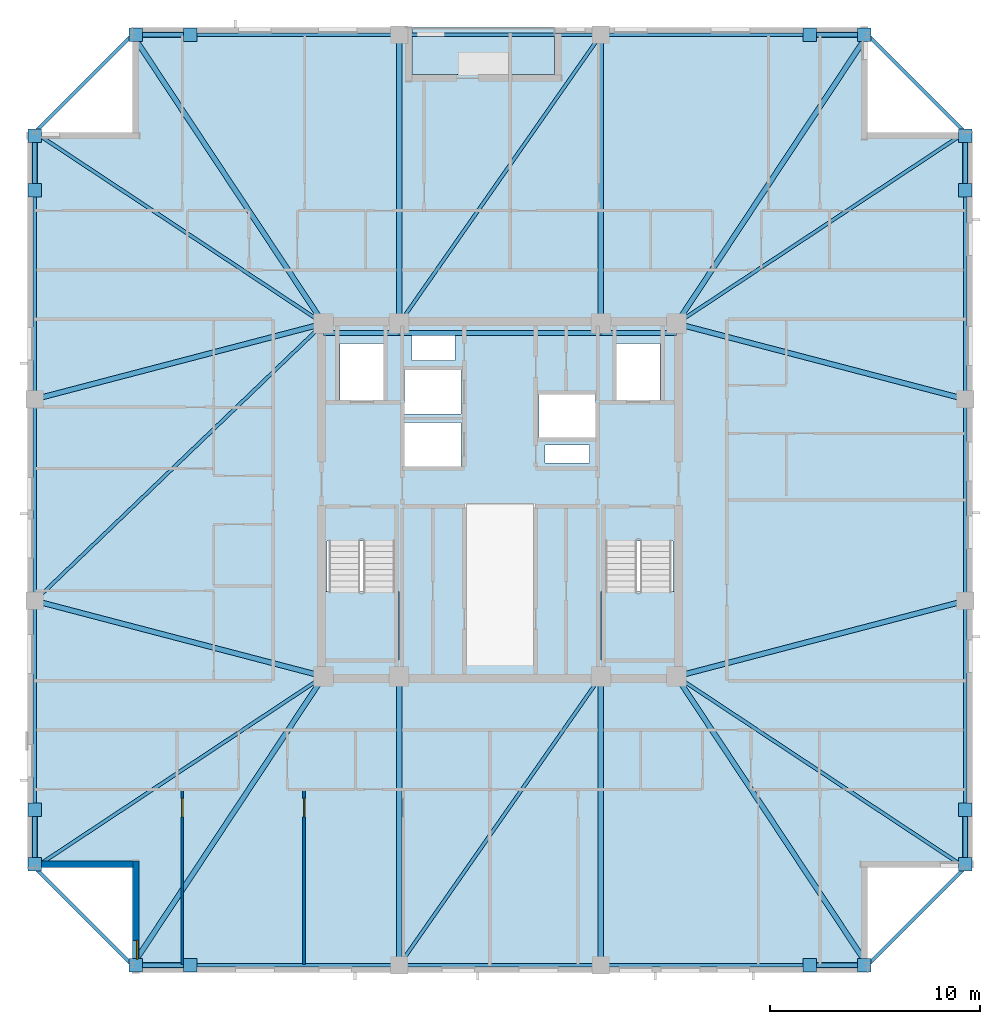
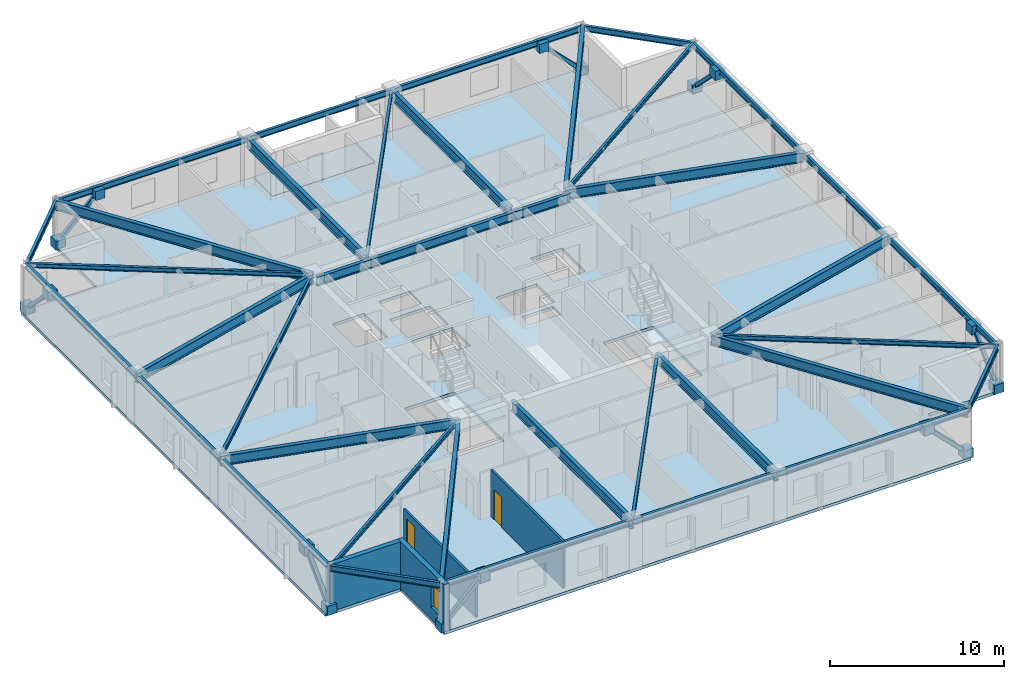
# One storey, part 6 of 17: 38 beams, 16 plates, 8 members, 4 slabs, 4 walls, 2 doors, 1 window, 3 openings, 2 elements without a shape of their own.
"""IFC4 building model written with IfcOpenShell, lengths in metres."""

from ifc_helpers import new_model, si_unit, direction, frame, frame_2d, origin, origin_2d, place, context, subcontext, project, spatial, polyline, rectangle, hollow_rectangle, i_section, outline, extrude, material, layer, layer_set, material_profile, profile_set, type_object, element, fill, aggregate, save


model = new_model("IFC4")

# Units and contexts
model_context = context("Model", 3, precision=1e-05, world=origin(), true_north=direction((0.0, 1.0)))
body_context = subcontext(model_context, "Body", "Model", "MODEL_VIEW")
ifc_project = project(units=[si_unit("LENGTHUNIT", "METRE"), si_unit("AREAUNIT", "SQUARE_METRE"), si_unit("VOLUMEUNIT", "CUBIC_METRE"), si_unit("PLANEANGLEUNIT", "RADIAN"), si_unit("MASSUNIT", "GRAM", prefix="KILO")], contexts=[model_context])

# Site, building, storey
site_placement = place(None, origin())
site = spatial("IfcSite", under=ifc_project, at=site_placement, CompositionType="ELEMENT")
building_placement = place(site_placement, origin())
building = spatial("IfcBuilding", under=site, at=building_placement, Name="Cairnveth Concourse Tower", CompositionType="ELEMENT")
storey_placement = place(building_placement, frame((0.0, 0.0, 206.0)))
storey = spatial("IfcBuildingStorey", under=building, at=storey_placement, Name="L56", CompositionType="ELEMENT", Elevation=206.0)

# Beams
ifc_material_1 = material(Name="Steel Grade 350", Category="steel")
ifc_material_profile_1 = material_profile(ifc_material_1, i_section(OverallWidth=0.22802734375, OverallDepth=0.60693359375, WebThickness=0.01123046875, FlangeThickness=0.017333984375, FilletRadius=0.013916015625, at=origin_2d()), Name="610UB113")
ifc_profile_set_1 = profile_set([ifc_material_profile_1], Name="Steel Grade 350")
beam_type_1 = type_object("IfcBeamType", Name="CORE TIE BEAM 610UB113", PredefinedType="T_BEAM", material=ifc_profile_set_1)
for number, where, z_axis, x_axis, name in (
    (1, (43.60009765625, 46.949951171875, 2.986572265625), (1.0, 0.0, 0.0), (0.0, 1.0, 0.0), "Beam CT-N1 L56"),
    (2, (56.800048828125, 46.949951171875, 2.986572265625), (1.0, 0.0, 0.0), (0.0, 1.0, 0.0), "Beam CT-N3 L56"),
):
    element("IfcBeam", number, at=place(storey_placement, frame(where, z_axis=z_axis, x_axis=x_axis)), inside=storey, type_object=beam_type_1, Name=name, PredefinedType="T_BEAM", context=body_context, shape_type="SweptSolid", body=[
        extrude(i_section(OverallWidth=0.22802734375, OverallDepth=0.60693359375, WebThickness=0.01123046875, FlangeThickness=0.017333984375, FilletRadius=0.013916015625, at=origin_2d()), origin(), (0.0, 0.0, 1.0), 3.599853515625),
    ])
beam_1_placement = place(storey_placement, frame((47.199951171875, 46.949951171875, 2.986572265625), z_axis=(1.0, 0.0, 0.0), x_axis=(0.0, 1.0, 0.0)))
element("IfcBeam", 3, at=beam_1_placement, inside=storey, type_object=beam_type_1, Name="Beam CT-N2 L56", PredefinedType="T_BEAM", context=body_context, shape_type="SweptSolid", body=[
    extrude(i_section(OverallWidth=0.22802734375, OverallDepth=0.60693359375, WebThickness=0.01123046875, FlangeThickness=0.017333984375, FilletRadius=0.013916015625, at=origin_2d()), origin(), (0.0, 0.0, 1.0), 9.60009765625),
])
ifc_material_profile_2 = material_profile(ifc_material_1, i_section(OverallWidth=0.166015625, OverallDepth=0.306884765625, WebThickness=0.006591796875, FlangeThickness=0.01171875, FilletRadius=0.010986328125, at=origin_2d()), Name="310UB46.2")
ifc_profile_set_2 = profile_set([ifc_material_profile_2], Name="Steel Grade 350")
beam_type_2 = type_object("IfcBeamType", Name="ZONE 3 FLOOR JOIST 310UB46.2", PredefinedType="JOIST", material=ifc_profile_set_2)
for number, where, z_axis, x_axis, name in (
    (4, (29.85009765625, 21.5, 3.136474609375), (0.833908956207, 0.551902031848, 0.0), (-0.551902031848, 0.833908956207, 0.0), "Beam FJ-CSW2 L56"),
    (5, (74.14990234375, 21.5, 3.136474609375), (-0.833908956207, 0.551902031848, 0.0), (-0.551902031848, -0.833908956207, 0.0), "Beam FJ-CSE2 L56"),
    (6, (74.14990234375, 56.5, 3.136474609375), (-0.833908956207, -0.551902031848, 0.0), (0.551902031848, -0.833908956207, 0.0), "Beam FJ-CNE2 L56"),
    (7, (29.85009765625, 56.5, 3.136474609375), (0.833908956207, -0.551902031848, 0.0), (0.551902031848, 0.833908956207, 0.0), "Beam FJ-CNW2 L56"),
):
    element("IfcBeam", number, at=place(storey_placement, frame(where, z_axis=z_axis, x_axis=x_axis)), inside=storey, type_object=beam_type_2, Name=name, PredefinedType="JOIST", context=body_context, shape_type="SweptSolid", body=[
        extrude(i_section(OverallWidth=0.166015625, OverallDepth=0.306884765625, WebThickness=0.006591796875, FlangeThickness=0.01171875, FilletRadius=0.010986328125, at=origin_2d()), origin(), (0.0, 0.0, 1.0), 16.488525390625),
    ])
for number, where, z_axis, x_axis, name in (
    (8, (47.199951171875, 16.85009765625, 3.136474609375), (0.572465304893, 0.819928944905, 0.0), (-0.819928944905, 0.572465304893, 0.0), "Beam FJ-S-M1 L56"),
    (9, (47.199951171875, 47.39990234375, 3.136474609375), (0.572465304893, 0.819928944905, 0.0), (-0.819928944905, 0.572465304893, 0.0), "Beam FJ-N-M1 L56"),
):
    element("IfcBeam", number, at=place(storey_placement, frame(where, z_axis=z_axis, x_axis=x_axis)), inside=storey, type_object=beam_type_2, Name=name, PredefinedType="JOIST", context=body_context, shape_type="SweptSolid", body=[
        extrude(i_section(OverallWidth=0.166015625, OverallDepth=0.306884765625, WebThickness=0.006591796875, FlangeThickness=0.01171875, FilletRadius=0.010986328125, at=origin_2d()), origin(), (0.0, 0.0, 1.0), 16.769775390625),
    ])
beam_2_placement = place(storey_placement, frame((29.85009765625, 34.199951171875, 3.136474609375), z_axis=(0.721388600838, 0.692530495055, 0.0), x_axis=(-0.692530495055, 0.721388600838, 0.0)))
element("IfcBeam", 10, at=beam_2_placement, inside=storey, type_object=beam_type_2, Name="Beam FJ-W-M1 L56", PredefinedType="JOIST", context=body_context, shape_type="SweptSolid", body=[
    extrude(i_section(OverallWidth=0.166015625, OverallDepth=0.306884765625, WebThickness=0.006591796875, FlangeThickness=0.01171875, FilletRadius=0.010986328125, at=origin_2d()), origin(), (0.0, 0.0, 1.0), 19.060546875),
])

# Members
ifc_material_2 = material(Name="Steel C350L0 (350 MPa)", Category="steel")
ifc_material_profile_3 = material_profile(ifc_material_2, hollow_rectangle(XDim=0.25, YDim=0.25, WallThickness=0.012451171875, InnerFilletRadius=0.012939453125, OuterFilletRadius=0.02490234375, at=origin_2d()), Name="250x250x12.5SHS")
ifc_profile_set_3 = profile_set([ifc_material_profile_3], Name="Steel C350L0 (350 MPa)")
member_type = type_object("IfcMemberType", Name="ZONE 3 PIER BRACE 250X250X12.5SHS", PredefinedType="BRACE", material=ifc_profile_set_3)
for number, where, z_axis, x_axis, name in (
    (11, (34.64990234375, 16.85009765625, 0.25), (0.708469186186, 0.0, 0.705741746126), (0.0, 1.0, 0.0), "Structural Brace PB-S1 L56"),
    (12, (69.35009765625, 16.85009765625, 0.25), (-0.708469186186, 0.0, 0.705741746126), (0.0, -1.0, 0.0), "Structural Brace PB-S2 L56"),
    (13, (34.64990234375, 61.14990234375, 0.25), (0.708469186186, 0.0, 0.705741746126), (0.0, 1.0, 0.0), "Structural Brace PB-N1 L56"),
    (14, (69.35009765625, 61.14990234375, 0.25), (-0.708469186186, 0.0, 0.705741746126), (0.0, -1.0, 0.0), "Structural Brace PB-N2 L56"),
    (15, (29.85009765625, 21.64990234375, 0.25), (0.0, 0.708469186186, 0.705741746126), (-1.0, 0.0, 0.0), "Structural Brace PB-W1 L56"),
    (16, (29.85009765625, 56.35009765625, 0.25), (0.0, -0.708469186186, 0.705741746126), (1.0, 0.0, 0.0), "Structural Brace PB-W2 L56"),
    (17, (74.14990234375, 21.64990234375, 0.25), (0.0, 0.708469186186, 0.705741746126), (-1.0, 0.0, 0.0), "Structural Brace PB-E1 L56"),
    (18, (74.14990234375, 56.35009765625, 0.25), (0.0, -0.708469186186, 0.705741746126), (1.0, 0.0, 0.0), "Structural Brace PB-E2 L56"),
):
    element("IfcMember", number, at=place(storey_placement, frame(where, z_axis=z_axis, x_axis=x_axis)), inside=storey, type_object=member_type, Name=name, PredefinedType="BRACE", context=body_context, shape_type="SweptSolid", body=[
        extrude(hollow_rectangle(XDim=0.25, YDim=0.25, WallThickness=0.012451171875, InnerFilletRadius=0.012939453125, OuterFilletRadius=0.02490234375, at=origin_2d()), origin(), (0.0, 0.0, 1.0), 3.669921875),
    ])

# Beams
ifc_material_profile_4 = material_profile(ifc_material_1, i_section(OverallWidth=0.25, OverallDepth=0.69189453125, WebThickness=0.010009765625, FlangeThickness=0.02490234375, at=origin_2d()), Name="700WB150")
ifc_profile_set_4 = profile_set([ifc_material_profile_4], Name="Steel Grade 350")
beam_type_3 = type_object("IfcBeamType", Name="ZONE 3 RADIAL GIRDER 700WB150", PredefinedType="BEAM", material=ifc_profile_set_4)
for number, where, z_axis, x_axis, name in (
    (19, (47.199951171875, 16.85009765625, 2.944091796875), (0.0, 1.0, 0.0), (-1.0, 0.0, 0.0), "Beam RG-S1 L56"),
    (20, (56.800048828125, 16.85009765625, 2.944091796875), (0.0, 1.0, 0.0), (-1.0, 0.0, 0.0), "Beam RG-S2 L56"),
    (21, (47.199951171875, 47.39990234375, 2.944091796875), (0.0, 1.0, 0.0), (-1.0, 0.0, 0.0), "Beam RG-N1 L56"),
    (22, (56.800048828125, 47.39990234375, 2.944091796875), (0.0, 1.0, 0.0), (-1.0, 0.0, 0.0), "Beam RG-N2 L56"),
):
    element("IfcBeam", number, at=place(storey_placement, frame(where, z_axis=z_axis, x_axis=x_axis)), inside=storey, type_object=beam_type_3, Name=name, PredefinedType="BEAM", context=body_context, shape_type="SweptSolid", body=[
        extrude(i_section(OverallWidth=0.25, OverallDepth=0.69189453125, WebThickness=0.010009765625, FlangeThickness=0.02490234375, at=origin_2d()), origin(), (0.0, 0.0, 1.0), 13.75),
    ])
for number, where, z_axis, x_axis, name in (
    (23, (29.85009765625, 34.199951171875, 2.944091796875), (0.967395273598, -0.253271365575, 0.0), (0.253271365575, 0.967395273598, 0.0), "Beam RG-W1 L56"),
    (24, (29.85009765625, 43.800048828125, 2.944091796875), (0.967395273598, 0.253271365575, 0.0), (-0.253271365575, 0.967395273598, 0.0), "Beam RG-W2 L56"),
    (25, (60.39990234375, 30.60009765625, 2.944091796875), (0.967395273598, 0.253271365575, 0.0), (-0.253271365575, 0.967395273598, 0.0), "Beam RG-E1 L56"),
    (26, (60.39990234375, 47.39990234375, 2.944091796875), (0.967395273598, -0.253271365575, 0.0), (0.253271365575, 0.967395273598, 0.0), "Beam RG-E2 L56"),
):
    element("IfcBeam", number, at=place(storey_placement, frame(where, z_axis=z_axis, x_axis=x_axis)), inside=storey, type_object=beam_type_3, Name=name, PredefinedType="BEAM", context=body_context, shape_type="SweptSolid", body=[
        extrude(i_section(OverallWidth=0.25, OverallDepth=0.69189453125, WebThickness=0.010009765625, FlangeThickness=0.02490234375, at=origin_2d()), origin(), (0.0, 0.0, 1.0), 14.21337890625),
    ])
for number, where, z_axis, x_axis, name in (
    (27, (34.5, 16.85009765625, 2.944091796875), (0.551902031848, 0.833908956207, 0.0), (-0.833908956207, 0.551902031848, 0.0), "Beam RG-CSW L56"),
    (28, (69.5, 16.85009765625, 2.944091796875), (-0.551902031848, 0.833908956207, 0.0), (-0.833908956207, -0.551902031848, 0.0), "Beam RG-CSE L56"),
    (29, (69.5, 61.14990234375, 2.944091796875), (-0.551902031848, -0.833908956207, 0.0), (0.833908956207, -0.551902031848, 0.0), "Beam RG-CNE L56"),
    (30, (34.5, 61.14990234375, 2.944091796875), (0.551902031848, -0.833908956207, 0.0), (0.833908956207, 0.551902031848, 0.0), "Beam RG-CNW L56"),
):
    element("IfcBeam", number, at=place(storey_placement, frame(where, z_axis=z_axis, x_axis=x_axis)), inside=storey, type_object=beam_type_3, Name=name, PredefinedType="BEAM", context=body_context, shape_type="SweptSolid", body=[
        extrude(i_section(OverallWidth=0.25, OverallDepth=0.69189453125, WebThickness=0.010009765625, FlangeThickness=0.02490234375, at=origin_2d()), origin(), (0.0, 0.0, 1.0), 16.488525390625),
    ])
ifc_material_profile_5 = material_profile(ifc_material_1, i_section(OverallWidth=0.177978515625, OverallDepth=0.406005859375, WebThickness=0.0078125, FlangeThickness=0.0126953125, FilletRadius=0.010986328125, at=origin_2d()), Name="410UB59.7")
ifc_profile_set_5 = profile_set([ifc_material_profile_5], Name="Steel Grade 350")
beam_type_4 = type_object("IfcBeamType", Name="ZONE 3 SPANDREL BEAM 410UB59.7", PredefinedType="SPANDREL", material=ifc_profile_set_5)
beam_3_placement = place(storey_placement, frame((34.5, 16.85009765625, 3.0869140625), z_axis=(1.0, 0.0, 0.0), x_axis=(0.0, 1.0, 0.0)))
element("IfcBeam", 31, at=beam_3_placement, inside=storey, type_object=beam_type_4, Name="Beam SP-S1 L56", PredefinedType="SPANDREL", context=body_context, shape_type="SweptSolid", body=[
    extrude(i_section(OverallWidth=0.177978515625, OverallDepth=0.406005859375, WebThickness=0.0078125, FlangeThickness=0.0126953125, FilletRadius=0.010986328125, at=origin_2d()), origin(), (0.0, 0.0, 1.0), 12.699951171875),
])
beam_4_placement = place(storey_placement, frame((47.199951171875, 16.85009765625, 3.0869140625), z_axis=(1.0, 0.0, 0.0), x_axis=(0.0, 1.0, 0.0)))
element("IfcBeam", 32, at=beam_4_placement, inside=storey, type_object=beam_type_4, Name="Beam SP-S2 L56", PredefinedType="SPANDREL", context=body_context, shape_type="SweptSolid", body=[
    extrude(i_section(OverallWidth=0.177978515625, OverallDepth=0.406005859375, WebThickness=0.0078125, FlangeThickness=0.0126953125, FilletRadius=0.010986328125, at=origin_2d()), origin(), (0.0, 0.0, 1.0), 9.60009765625),
])
for number, where, z_axis, x_axis, name in (
    (33, (56.800048828125, 16.85009765625, 3.0869140625), (1.0, 0.0, 0.0), (0.0, 1.0, 0.0), "Beam SP-S3 L56"),
    (34, (34.5, 61.14990234375, 3.0869140625), (1.0, 0.0, 0.0), (0.0, 1.0, 0.0), "Beam SP-N1 L56"),
):
    element("IfcBeam", number, at=place(storey_placement, frame(where, z_axis=z_axis, x_axis=x_axis)), inside=storey, type_object=beam_type_4, Name=name, PredefinedType="SPANDREL", context=body_context, shape_type="SweptSolid", body=[
        extrude(i_section(OverallWidth=0.177978515625, OverallDepth=0.406005859375, WebThickness=0.0078125, FlangeThickness=0.0126953125, FilletRadius=0.010986328125, at=origin_2d()), origin(), (0.0, 0.0, 1.0), 12.699951171875),
    ])
beam_5_placement = place(storey_placement, frame((47.199951171875, 61.14990234375, 3.0869140625), z_axis=(1.0, 0.0, 0.0), x_axis=(0.0, 1.0, 0.0)))
element("IfcBeam", 35, at=beam_5_placement, inside=storey, type_object=beam_type_4, Name="Beam SP-N2 L56", PredefinedType="SPANDREL", context=body_context, shape_type="SweptSolid", body=[
    extrude(i_section(OverallWidth=0.177978515625, OverallDepth=0.406005859375, WebThickness=0.0078125, FlangeThickness=0.0126953125, FilletRadius=0.010986328125, at=origin_2d()), origin(), (0.0, 0.0, 1.0), 9.60009765625),
])
for number, where, z_axis, x_axis, name in (
    (36, (56.800048828125, 61.14990234375, 3.0869140625), (1.0, 0.0, 0.0), (0.0, 1.0, 0.0), "Beam SP-N3 L56"),
    (37, (29.85009765625, 21.5, 3.0869140625), (0.0, 1.0, 0.0), (-1.0, 0.0, 0.0), "Beam SP-W1 L56"),
):
    element("IfcBeam", number, at=place(storey_placement, frame(where, z_axis=z_axis, x_axis=x_axis)), inside=storey, type_object=beam_type_4, Name=name, PredefinedType="SPANDREL", context=body_context, shape_type="SweptSolid", body=[
        extrude(i_section(OverallWidth=0.177978515625, OverallDepth=0.406005859375, WebThickness=0.0078125, FlangeThickness=0.0126953125, FilletRadius=0.010986328125, at=origin_2d()), origin(), (0.0, 0.0, 1.0), 12.699951171875),
    ])
beam_6_placement = place(storey_placement, frame((29.85009765625, 34.199951171875, 3.0869140625), z_axis=(0.0, 1.0, 0.0), x_axis=(-1.0, 0.0, 0.0)))
element("IfcBeam", 38, at=beam_6_placement, inside=storey, type_object=beam_type_4, Name="Beam SP-W2 L56", PredefinedType="SPANDREL", context=body_context, shape_type="SweptSolid", body=[
    extrude(i_section(OverallWidth=0.177978515625, OverallDepth=0.406005859375, WebThickness=0.0078125, FlangeThickness=0.0126953125, FilletRadius=0.010986328125, at=origin_2d()), origin(), (0.0, 0.0, 1.0), 9.60009765625),
])
for number, where, z_axis, x_axis, name in (
    (39, (29.85009765625, 43.800048828125, 3.0869140625), (0.0, 1.0, 0.0), (-1.0, 0.0, 0.0), "Beam SP-W3 L56"),
    (40, (74.14990234375, 21.5, 3.0869140625), (0.0, 1.0, 0.0), (-1.0, 0.0, 0.0), "Beam SP-E1 L56"),
):
    element("IfcBeam", number, at=place(storey_placement, frame(where, z_axis=z_axis, x_axis=x_axis)), inside=storey, type_object=beam_type_4, Name=name, PredefinedType="SPANDREL", context=body_context, shape_type="SweptSolid", body=[
        extrude(i_section(OverallWidth=0.177978515625, OverallDepth=0.406005859375, WebThickness=0.0078125, FlangeThickness=0.0126953125, FilletRadius=0.010986328125, at=origin_2d()), origin(), (0.0, 0.0, 1.0), 12.699951171875),
    ])
beam_7_placement = place(storey_placement, frame((74.14990234375, 34.199951171875, 3.0869140625), z_axis=(0.0, 1.0, 0.0), x_axis=(-1.0, 0.0, 0.0)))
element("IfcBeam", 41, at=beam_7_placement, inside=storey, type_object=beam_type_4, Name="Beam SP-E2 L56", PredefinedType="SPANDREL", context=body_context, shape_type="SweptSolid", body=[
    extrude(i_section(OverallWidth=0.177978515625, OverallDepth=0.406005859375, WebThickness=0.0078125, FlangeThickness=0.0126953125, FilletRadius=0.010986328125, at=origin_2d()), origin(), (0.0, 0.0, 1.0), 9.60009765625),
])
beam_8_placement = place(storey_placement, frame((74.14990234375, 43.800048828125, 3.0869140625), z_axis=(0.0, 1.0, 0.0), x_axis=(-1.0, 0.0, 0.0)))
element("IfcBeam", 42, at=beam_8_placement, inside=storey, type_object=beam_type_4, Name="Beam SP-E3 L56", PredefinedType="SPANDREL", context=body_context, shape_type="SweptSolid", body=[
    extrude(i_section(OverallWidth=0.177978515625, OverallDepth=0.406005859375, WebThickness=0.0078125, FlangeThickness=0.0126953125, FilletRadius=0.010986328125, at=origin_2d()), origin(), (0.0, 0.0, 1.0), 12.699951171875),
])
for number, where, z_axis, x_axis, name in (
    (43, (29.85009765625, 21.5, 3.0869140625), (0.707106781187, -0.707106781187, 0.0), (0.707106781187, 0.707106781187, 0.0), "Beam SP-SW L56"),
    (44, (69.5, 16.85009765625, 3.0869140625), (0.707106781187, 0.707106781187, 0.0), (-0.707106781187, 0.707106781187, 0.0), "Beam SP-SE L56"),
    (45, (69.5, 61.14990234375, 3.0869140625), (0.707106781187, -0.707106781187, 0.0), (0.707106781187, 0.707106781187, 0.0), "Beam SP-NE L56"),
    (46, (29.85009765625, 56.5, 3.0869140625), (0.707106781187, 0.707106781187, 0.0), (-0.707106781187, 0.707106781187, 0.0), "Beam SP-NW L56"),
):
    element("IfcBeam", number, at=place(storey_placement, frame(where, z_axis=z_axis, x_axis=x_axis)), inside=storey, type_object=beam_type_4, Name=name, PredefinedType="SPANDREL", context=body_context, shape_type="SweptSolid", body=[
        extrude(i_section(OverallWidth=0.177978515625, OverallDepth=0.406005859375, WebThickness=0.0078125, FlangeThickness=0.0126953125, FilletRadius=0.010986328125, at=origin_2d()), origin(), (0.0, 0.0, 1.0), 6.575927734375),
    ])

# Plates
ifc_layer_1 = layer(ifc_material_1, 0.031982421875)
ifc_layer_set_1 = layer_set([ifc_layer_1], Name="Steel Grade 350")
plate_type = type_object("IfcPlateType", Name="PERIMETER BRACE GUSSET PLATE 32", PredefinedType="USERDEFINED", material=ifc_layer_set_1)
for number, where, z_axis, x_axis, name in (
    (47, (34.64990234375, 16.85009765625, -0.06982421875), (0.0, 0.0, 1.0), (1.0, 0.0, 0.0), "Structural Node Plate 0981 L56"),
    (48, (37.25, 16.85009765625, 2.52001953125), (0.0, 0.0, 1.0), (1.0, 0.0, 0.0), "Structural Node Plate 0982 L56"),
    (49, (69.35009765625, 16.85009765625, -0.06982421875), (0.0, 0.0, 1.0), (1.0, 0.0, 0.0), "Structural Node Plate 0983 L56"),
    (50, (66.75, 16.85009765625, 2.52001953125), (0.0, 0.0, 1.0), (1.0, 0.0, 0.0), "Structural Node Plate 0984 L56"),
    (51, (34.64990234375, 61.14990234375, -0.06982421875), (0.0, 0.0, 1.0), (1.0, 0.0, 0.0), "Structural Node Plate 0985 L56"),
    (52, (37.25, 61.14990234375, 2.52001953125), (0.0, 0.0, 1.0), (1.0, 0.0, 0.0), "Structural Node Plate 0986 L56"),
    (53, (69.35009765625, 61.14990234375, -0.06982421875), (0.0, 0.0, 1.0), (1.0, 0.0, 0.0), "Structural Node Plate 0987 L56"),
    (54, (66.75, 61.14990234375, 2.52001953125), (0.0, 0.0, 1.0), (1.0, 0.0, 0.0), "Structural Node Plate 0988 L56"),
    (55, (29.85009765625, 21.64990234375, -0.06982421875), (0.0, 0.0, 1.0), (1.0, 0.0, 0.0), "Structural Node Plate 0989 L56"),
    (56, (29.85009765625, 24.25, 2.52001953125), (0.0, 0.0, 1.0), (1.0, 0.0, 0.0), "Structural Node Plate 0990 L56"),
    (57, (29.85009765625, 56.35009765625, -0.06982421875), (0.0, 0.0, 1.0), (1.0, 0.0, 0.0), "Structural Node Plate 0991 L56"),
    (58, (29.85009765625, 53.75, 2.52001953125), (0.0, 0.0, 1.0), (1.0, 0.0, 0.0), "Structural Node Plate 0992 L56"),
    (59, (74.14990234375, 21.64990234375, -0.06982421875), (0.0, 0.0, 1.0), (1.0, 0.0, 0.0), "Structural Node Plate 0993 L56"),
    (60, (74.14990234375, 24.25, 2.52001953125), (0.0, 0.0, 1.0), (1.0, 0.0, 0.0), "Structural Node Plate 0994 L56"),
    (61, (74.14990234375, 56.35009765625, -0.06982421875), (0.0, 0.0, 1.0), (1.0, 0.0, 0.0), "Structural Node Plate 0995 L56"),
    (62, (74.14990234375, 53.75, 2.52001953125), (0.0, 0.0, 1.0), (1.0, 0.0, 0.0), "Structural Node Plate 0996 L56"),
):
    element("IfcPlate", number, at=place(storey_placement, frame(where, z_axis=z_axis, x_axis=x_axis)), inside=storey, type_object=plate_type, Name=name, ObjectType="GUSSET PLATE", PredefinedType="USERDEFINED", context=body_context, shape_type="SweptSolid", body=[
        extrude(rectangle(XDim=0.639892578125, YDim=0.639892578125, at=origin_2d()), origin(), (0.0, 0.0, 1.0), 0.639892578125),
    ])

# Slab
ifc_material_3 = material(Name="Concrete N50 (50 MPa)", Category="concrete")
ifc_layer_2 = layer(ifc_material_3, 0.18994140625)
ifc_layer_set_2 = layer_set([ifc_layer_2], Name="Concrete N50 (50 MPa)")
slab_type_1 = type_object("IfcSlabType", Name="SPIRAL OUTDOOR TERRACE SLAB 190", PredefinedType="FLOOR", material=ifc_layer_set_2)
slab_1_placement = place(storey_placement, frame((0.0, 0.0, -0.18994140625)))
element("IfcSlab", 63, at=slab_1_placement, inside=storey, type_object=slab_type_1, Name="Spiral Terrace Slab L56", PredefinedType="FLOOR", context=body_context, shape_type="SweptSolid", body=[
    extrude(outline(polyline([(47.800048828125, 59.25), (54.60009765625, 59.25), (54.60009765625, 61.5), (47.800048828125, 61.5), (47.800048828125, 59.25)])), origin(), (0.0, 0.0, 1.0), 0.18994140625),
])

# Stair, slab
ifc_material_4 = material(Name="Precast concrete N50 (50 MPa)", Category="concrete")
stair_type = type_object("IfcStairType", Name="CORE DOG-LEG FIRE STAIR 1500", PredefinedType="HALF_TURN_STAIR", material=ifc_material_4)
stair_1_placement = place(storey_placement, origin())
stair_1 = element("IfcStair", 64, at=stair_1_placement, inside=storey, type_object=stair_type, Name="L56 Fire-Isolated Stair ST-1", PredefinedType="HALF_TURN_STAIR")
ifc_layer_3 = layer(ifc_material_3, 0.199951171875)
ifc_layer_set_3 = layer_set([ifc_layer_3], Name="Concrete N50 (50 MPa)")
slab_type_2 = type_object("IfcSlabType", Name="STAIR HALF LANDING SLAB 200", PredefinedType="LANDING", material=ifc_layer_set_3)
slab_2_placement = place(storey_placement, frame((0.0, 0.0, 1.550048828125)))
slab_2 = element("IfcSlab", 65, at=slab_2_placement, type_object=slab_type_2, Name="ST-1 landing 1", PredefinedType="LANDING", context=body_context, shape_type="SweptSolid", body=[
    extrude(outline(polyline([(43.6201171875, 34.639892578125), (43.6201171875, 31.3701171875), (47.199951171875, 31.3701171875), (47.199951171875, 34.639892578125), (43.6201171875, 34.639892578125)])), origin(), (0.0, 0.0, 1.0), 0.199951171875),
])
aggregate(stair_1, [slab_2])

stair_2_placement = place(storey_placement, origin())
stair_2 = element("IfcStair", 66, at=stair_2_placement, inside=storey, type_object=stair_type, Name="L56 Fire-Isolated Stair ST-2", PredefinedType="HALF_TURN_STAIR")
slab_3_placement = place(storey_placement, frame((0.0, 0.0, 1.550048828125)))
slab_3 = element("IfcSlab", 67, at=slab_3_placement, type_object=slab_type_2, Name="ST-2 landing 1", PredefinedType="LANDING", context=body_context, shape_type="SweptSolid", body=[
    extrude(outline(polyline([(56.800048828125, 34.639892578125), (56.800048828125, 31.3701171875), (60.3798828125, 31.3701171875), (60.3798828125, 34.639892578125), (56.800048828125, 34.639892578125)])), origin(), (0.0, 0.0, 1.0), 0.199951171875),
])
aggregate(stair_2, [slab_3])

# Slab
ifc_layer_4 = layer(ifc_material_3, 0.2099609375)
ifc_layer_set_4 = layer_set([ifc_layer_4], Name="Concrete N50 (50 MPa)")
slab_type_3 = type_object("IfcSlabType", Name="UPPER TOWER COMPOSITE SLAB 210", PredefinedType="FLOOR", material=ifc_layer_set_4)
slab_4_placement = place(storey_placement, frame((0.0, 0.0, -0.2099609375)))
element("IfcSlab", 68, at=slab_4_placement, inside=storey, type_object=slab_type_3, Name="Tower Floor Slab L56", PredefinedType="FLOOR", context=body_context, shape_type="SweptSolid", body=[
    extrude(outline(polyline([(54.60009765625, 61.5), (54.60009765625, 59.25), (47.800048828125, 59.25), (47.800048828125, 61.5), (34.5, 61.5), (34.5, 56.5), (29.5, 56.5), (29.5, 21.5), (34.5, 21.5), (34.5, 16.5), (69.5, 16.5), (69.5, 21.5), (74.5, 21.5), (74.5, 56.5), (69.5, 56.5), (69.5, 61.5), (54.60009765625, 61.5)]), holes=[polyline([(43.760009765625, 31.360107421875), (47.06005859375, 31.360107421875), (47.06005859375, 37.0400390625), (43.760009765625, 37.0400390625), (43.760009765625, 31.360107421875)]), polyline([(56.93994140625, 31.360107421875), (60.239990234375, 31.360107421875), (60.239990234375, 37.0400390625), (56.93994140625, 37.0400390625), (56.93994140625, 31.360107421875)]), polyline([(44.3701171875, 43.75), (46.469970703125, 43.75), (46.469970703125, 46.449951171875), (44.3701171875, 46.449951171875), (44.3701171875, 43.75)]), polyline([(57.530029296875, 43.75), (59.6298828125, 43.75), (59.6298828125, 46.449951171875), (57.530029296875, 46.449951171875), (57.530029296875, 43.75)]), polyline([(47.449951171875, 40.60009765625), (50.14990234375, 40.60009765625), (50.14990234375, 42.699951171875), (47.449951171875, 42.699951171875), (47.449951171875, 40.60009765625)]), polyline([(47.449951171875, 43.10009765625), (50.14990234375, 43.10009765625), (50.14990234375, 45.199951171875), (47.449951171875, 45.199951171875), (47.449951171875, 43.10009765625)]), polyline([(53.85009765625, 41.949951171875), (56.550048828125, 41.949951171875), (56.550048828125, 44.050048828125), (53.85009765625, 44.050048828125), (53.85009765625, 41.949951171875)]), polyline([(47.800048828125, 45.64990234375), (49.85009765625, 45.64990234375), (49.85009765625, 47.050048828125), (47.800048828125, 47.050048828125), (47.800048828125, 45.64990234375)]), polyline([(54.14990234375, 40.75), (56.25, 40.75), (56.25, 41.6201171875), (54.14990234375, 41.6201171875), (54.14990234375, 40.75)])]), origin(), (0.0, 0.0, 1.0), 0.2099609375),
])

# Wall, opening, door
ifc_material_5 = material(Name="Gypsum Plasterboard Partition", Category="gypsum")
ifc_layer_5 = layer(ifc_material_5, 0.139892578125)
ifc_layer_set_5 = layer_set([ifc_layer_5], Name="Gypsum Plasterboard Partition")
wall_type_1 = type_object("IfcWallType", Name="GYPSUM STUD PARTITION 140", PredefinedType="PARTITIONING", material=ifc_layer_set_5)
wall_1_placement = place(storey_placement, frame((36.8701171875, 16.8798828125, 0.0), z_axis=(0.0, 0.0, 1.0), x_axis=(0.0, 1.0, 0.0)))
wall_1 = element("IfcWall", 69, at=wall_1_placement, inside=storey, type_object=wall_type_1, Name="Interior Wall IW-L56-050", PredefinedType="PARTITIONING", context=body_context, shape_type="SweptSolid", body=[
    extrude(rectangle(XDim=8.2900390625, YDim=0.139892578125, at=frame_2d((4.14501953125, 0.0))), origin(), (0.0, 0.0, 1.0), 2.572998046875),
])
opening_1_placement = place(wall_1_placement, frame((7.030029296875, 0.0, 0.0)))
opening_1 = element("IfcOpeningElement", 70, at=opening_1_placement, cuts=wall_1, Name="Opening ID18", PredefinedType="OPENING", context=body_context, shape_type="SweptSolid", body=[
    extrude(rectangle(XDim=0.8798828125, YDim=2.10009765625, at=frame_2d((0.43994140625, 1.050048828125))), frame((0.0, 0.079833984375, 0.0), z_axis=(0.0, -1.0, 0.0), x_axis=(1.0, 0.0, 0.0)), (0.0, 0.0, 1.0), 0.159912109375),
])
ifc_material_6 = material(Name="Solid Core Hardwood Timber Leaf", Category="wood")
door_type = type_object("IfcDoorType", Name="INTERIOR SINGLE DOOR 880X2100", OperationType="NOTDEFINED", PredefinedType="DOOR", material=ifc_material_6)
door_1_placement = place(opening_1_placement, origin())
door_1 = element("IfcDoor", 71, at=door_1_placement, inside=storey, type_object=door_type, Name="L56S1 Master Bedroom Door", OperationType="SINGLE_SWING_RIGHT", OverallHeight=2.10009765625, OverallWidth=0.8798828125, PredefinedType="DOOR", context=body_context, shape_type="SweptSolid", body=[
    extrude(rectangle(XDim=0.8798828125, YDim=2.10009765625, at=frame_2d((0.43994140625, 1.050048828125))), frame((0.0, 0.02490234375, 0.0), z_axis=(0.0, -1.0, 0.0), x_axis=(1.0, 0.0, 0.0)), (0.0, 0.0, 1.0), 0.050048828125),
])
fill(opening_1, door_1)

wall_2_placement = place(storey_placement, frame((42.669921875, 16.8798828125, 0.0), z_axis=(0.0, 0.0, 1.0), x_axis=(0.0, 1.0, 0.0)))
wall_2 = element("IfcWall", 72, at=wall_2_placement, inside=storey, type_object=wall_type_1, Name="Interior Wall IW-L56-054", PredefinedType="PARTITIONING", context=body_context, shape_type="SweptSolid", body=[
    extrude(rectangle(XDim=8.2900390625, YDim=0.139892578125, at=frame_2d((4.14501953125, 0.0))), origin(), (0.0, 0.0, 1.0), 3.2900390625),
])
opening_2_placement = place(wall_2_placement, frame((7.030029296875, 0.0, 0.0)))
opening_2 = element("IfcOpeningElement", 73, at=opening_2_placement, cuts=wall_2, Name="Opening ID18", PredefinedType="OPENING", context=body_context, shape_type="SweptSolid", body=[
    extrude(rectangle(XDim=0.8798828125, YDim=2.10009765625, at=frame_2d((0.43994140625, 1.050048828125))), frame((0.0, 0.079833984375, 0.0), z_axis=(0.0, -1.0, 0.0), x_axis=(1.0, 0.0, 0.0)), (0.0, 0.0, 1.0), 0.159912109375),
])
door_2_placement = place(opening_2_placement, origin())
door_2 = element("IfcDoor", 74, at=door_2_placement, inside=storey, type_object=door_type, Name="L56S1 Media Lounge Door", OperationType="SINGLE_SWING_LEFT", OverallHeight=2.10009765625, OverallWidth=0.8798828125, PredefinedType="DOOR", context=body_context, shape_type="SweptSolid", body=[
    extrude(rectangle(XDim=0.8798828125, YDim=2.10009765625, at=frame_2d((0.43994140625, 1.050048828125))), frame((0.0, 0.02490234375, 0.0), z_axis=(0.0, -1.0, 0.0), x_axis=(1.0, 0.0, 0.0)), (0.0, 0.0, 1.0), 0.050048828125),
])
fill(opening_2, door_2)

# Wall, opening, window
ifc_material_7 = material(Name="Melbourne Buff Fired Clay Brick Masonry", Category="masonry")
ifc_layer_6 = layer(ifc_material_7, 0.320068359375)
ifc_layer_set_6 = layer_set([ifc_layer_6], Name="Melbourne Buff Fired Clay Brick Masonry")
wall_type_2 = type_object("IfcWallType", Name="ZONE 3 BRICK PIER SPANDREL WALL 320", PredefinedType="SOLIDWALL", material=ifc_layer_set_6)
wall_3_placement = place(storey_placement, frame((34.659912109375, 16.5, 0.0), z_axis=(0.0, 0.0, 1.0), x_axis=(0.0, 1.0, 0.0)))
wall_3 = element("IfcWall", 75, at=wall_3_placement, inside=storey, type_object=wall_type_2, Name="Exterior Wall EW-L56-S07", PredefinedType="SOLIDWALL", context=body_context, shape_type="SweptSolid", body=[
    extrude(rectangle(XDim=5.320068359375, YDim=0.320068359375, at=frame_2d((2.66015625, 0.0))), origin(), (0.0, 0.0, 1.0), 3.2900390625),
])
opening_3_placement = place(wall_3_placement, frame((0.6298828125, 0.0, 0.800048828125)))
opening_3 = element("IfcOpeningElement", 76, at=opening_3_placement, cuts=wall_3, Name="Opening W13", PredefinedType="OPENING", context=body_context, shape_type="SweptSolid", body=[
    extrude(rectangle(XDim=0.89990234375, YDim=1.677978515625, at=frame_2d((0.449951171875, 0.8388671875))), frame((0.0, 0.169921875, 0.0), z_axis=(0.0, -1.0, 0.0), x_axis=(1.0, 0.0, 0.0)), (0.0, 0.0, 1.0), 0.340087890625),
])
ifc_material_8 = material(Name="Double Glazed Low-E Clear Glass", Category="glass")
window_type = type_object("IfcWindowType", Name="DEEP-SET BEDROOM LANCET WINDOW 900X1750", PartitioningType="DOUBLE_PANEL_VERTICAL", PredefinedType="WINDOW", material=ifc_material_8)
window_placement = place(opening_3_placement, origin())
window = element("IfcWindow", 77, at=window_placement, inside=storey, type_object=window_type, Name="Dwelling Lancet Window L56-DW1", OverallHeight=1.677978515625, OverallWidth=0.89990234375, PartitioningType="SINGLE_PANEL", PredefinedType="WINDOW", context=body_context, shape_type="SweptSolid", body=[
    extrude(rectangle(XDim=0.89990234375, YDim=1.677978515625, at=frame_2d((0.449951171875, 0.8388671875))), frame((0.0, -0.0400390625, 0.0), z_axis=(0.0, -1.0, 0.0), x_axis=(1.0, 0.0, 0.0)), (0.0, 0.0, 1.0), 0.06005859375),
])
fill(opening_3, window)

# Wall
wall_4_placement = place(storey_placement, frame((34.52197265625, 21.659912109375, 0.0), z_axis=(0.0, 0.0, 1.0), x_axis=(-1.0, 0.0, 0.0)))
element("IfcWall", 78, at=wall_4_placement, inside=storey, type_object=wall_type_2, Name="Exterior Wall EW-L56-S08", PredefinedType="SOLIDWALL", context=body_context, shape_type="SweptSolid", body=[
    extrude(rectangle(XDim=4.723876953125, YDim=0.320068359375, at=frame_2d((2.36181640625, 0.0))), origin(), (0.0, 0.0, 1.0), 3.2900390625),
])

save(model, "model.ifc")
